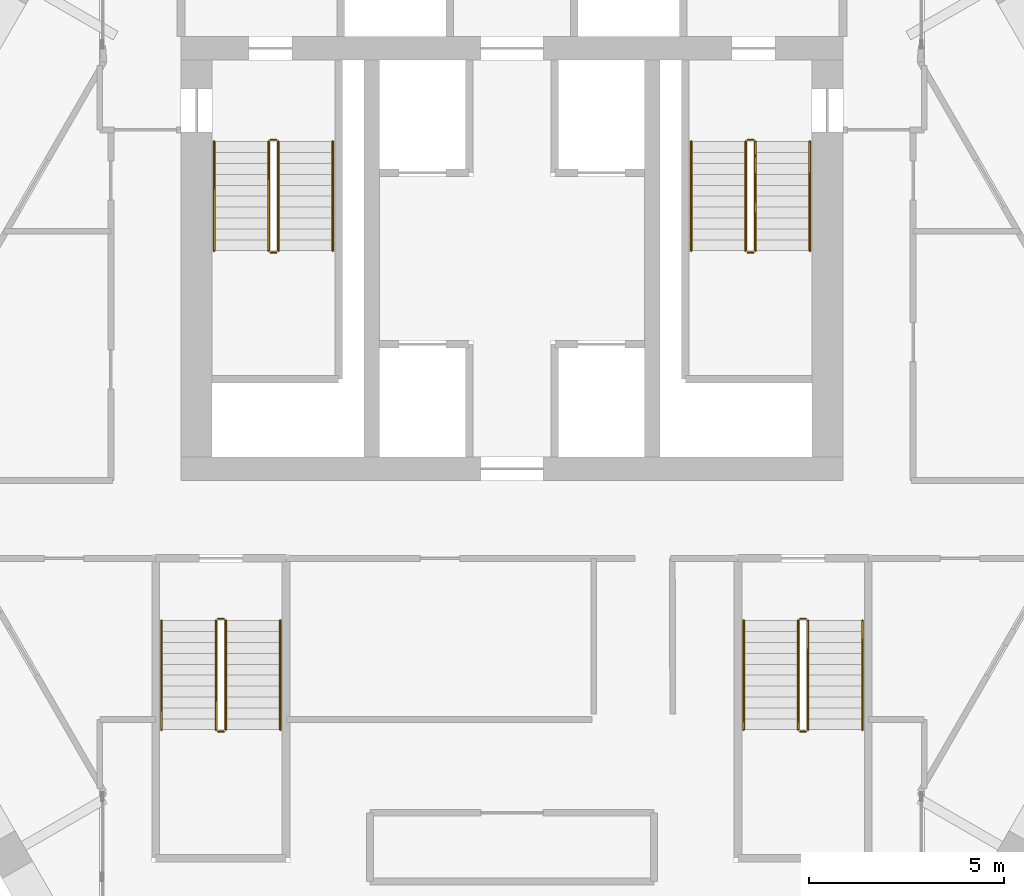
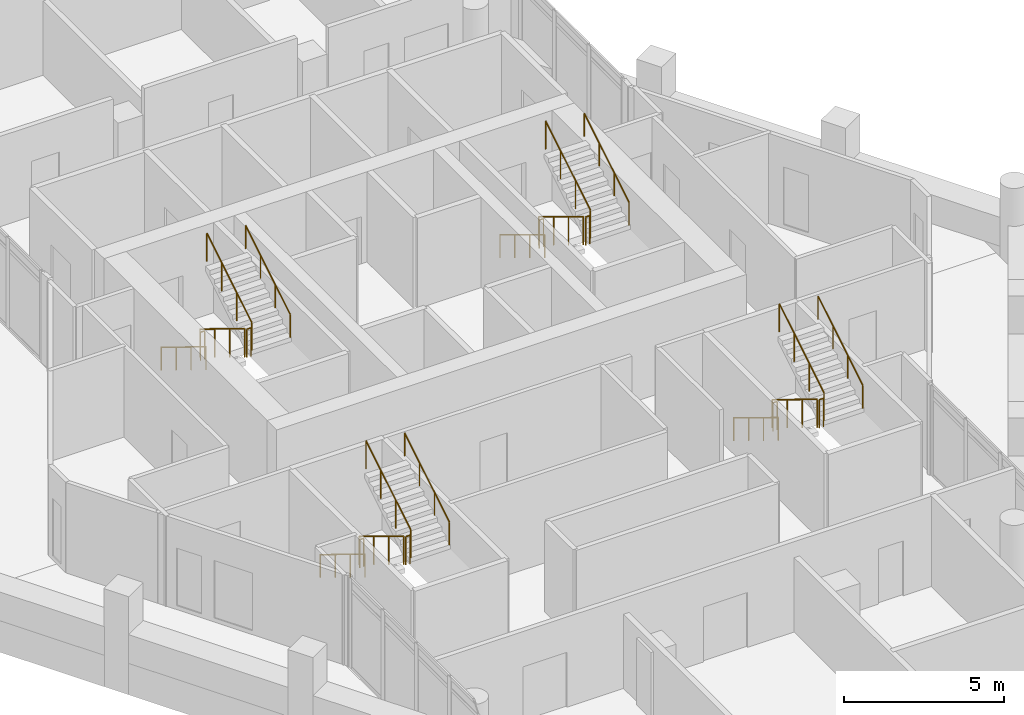
# One storey, part 25 of 25: 24 railings.
"""IFC4 building model written with IfcOpenShell, lengths in metres."""

from ifc_helpers import new_model, si_unit, direction, frame, origin, origin_2d, place, context, subcontext, project, spatial, circle, extrude, material, type_object, element, save


model = new_model("IFC4")

# Units and contexts
model_context = context("Model", 3, precision=1e-05, world=origin(), true_north=direction((0.0, 1.0)))
body_context = subcontext(model_context, "Body", "Model", "MODEL_VIEW")
ifc_project = project(units=[si_unit("LENGTHUNIT", "METRE"), si_unit("AREAUNIT", "SQUARE_METRE"), si_unit("VOLUMEUNIT", "CUBIC_METRE"), si_unit("PLANEANGLEUNIT", "RADIAN"), si_unit("MASSUNIT", "GRAM", prefix="KILO")], contexts=[model_context])

# Site, building, storey
site_placement = place(None, origin())
site = spatial("IfcSite", under=ifc_project, at=site_placement, CompositionType="ELEMENT")
building_placement = place(site_placement, origin())
building = spatial("IfcBuilding", under=site, at=building_placement, Name="Ostrander Bayou Hotel Tower", CompositionType="ELEMENT")
storey_placement = place(building_placement, frame((0.0, 0.0, 233.25)))
storey = spatial("IfcBuildingStorey", under=building, at=storey_placement, Name="L58", CompositionType="ELEMENT", Elevation=233.25)

# Railings
ifc_material_1 = material(Name="Steel ASTM A500 Gr C", Category="steel")
railing_type_1 = type_object("IfcRailingType", Name="GR1 stair guard 1100 mm steel", PredefinedType="GUARDRAIL", material=ifc_material_1)
railing_1_placement = place(storey_placement, frame((-6.25, 7.0, 0.17041015625)))
element("IfcRailing", 1, at=railing_1_placement, inside=storey, type_object=railing_type_1, Name="L58 STA stair guard 1", PredefinedType="GUARDRAIL", context=body_context, shape_type="SweptSolid", body=[
    extrude(circle(Radius=0.02392578125, at=origin_2d()), frame((0.0, 0.0, 1.076171875), z_axis=(0.0, -0.854169791009, 0.51999420009), x_axis=(1.0, 0.0, 0.0)), (0.0, 0.0, 1.0), 3.278076171875),
    extrude(circle(Radius=0.02099609375, at=origin_2d()), origin(), (0.0, 0.0, 1.0), 1.052001953125),
    extrude(circle(Radius=0.02099609375, at=origin_2d()), frame((0.0, -0.933349609375, 0.568115234375)), (0.0, 0.0, 1.0), 1.052001953125),
    extrude(circle(Radius=0.02099609375, at=origin_2d()), frame((0.0, -1.86669921875, 1.136474609375)), (0.0, 0.0, 1.0), 1.052001953125),
    extrude(circle(Radius=0.02099609375, at=origin_2d()), frame((0.0, -2.800048828125, 1.70458984375)), (0.0, 0.0, 1.0), 1.052001953125),
])
railing_2_placement = place(storey_placement, frame((-6.199951171875, 4.14990234375, 1.875)))
element("IfcRailing", 2, at=railing_2_placement, inside=storey, type_object=railing_type_1, Name="L58 STA stair guard 2", PredefinedType="GUARDRAIL", context=body_context, shape_type="SweptSolid", body=[
    extrude(circle(Radius=0.02392578125, at=origin_2d()), frame((0.0, 0.0, 1.076171875), z_axis=(1.0, 0.0, 0.0), x_axis=(0.0, 1.0, 0.0)), (0.0, 0.0, 1.0), 0.14990234375),
    extrude(circle(Radius=0.02099609375, at=origin_2d()), origin(), (0.0, 0.0, 1.0), 1.052001953125),
    extrude(circle(Radius=0.02099609375, at=origin_2d()), frame((0.14990234375, 0.0, 0.0)), (0.0, 0.0, 1.0), 1.052001953125),
])
railing_3_placement = place(storey_placement, frame((-6.0, 4.199951171875, 2.04541015625)))
element("IfcRailing", 3, at=railing_3_placement, inside=storey, type_object=railing_type_1, Name="L58 STA stair guard 3", PredefinedType="GUARDRAIL", context=body_context, shape_type="SweptSolid", body=[
    extrude(circle(Radius=0.02392578125, at=origin_2d()), frame((0.0, 0.0, 1.076171875), z_axis=(0.0, 0.854169791009, 0.51999420009), x_axis=(-1.0, 0.0, 0.0)), (0.0, 0.0, 1.0), 3.278076171875),
    extrude(circle(Radius=0.02099609375, at=origin_2d()), origin(), (0.0, 0.0, 1.0), 1.052001953125),
    extrude(circle(Radius=0.02099609375, at=origin_2d()), frame((0.0, 0.933349609375, 0.568115234375)), (0.0, 0.0, 1.0), 1.052001953125),
    extrude(circle(Radius=0.02099609375, at=origin_2d()), frame((0.0, 1.86669921875, 1.136474609375)), (0.0, 0.0, 1.0), 1.052001953125),
    extrude(circle(Radius=0.02099609375, at=origin_2d()), frame((0.0, 2.800048828125, 1.70458984375)), (0.0, 0.0, 1.0), 1.052001953125),
])
railing_4_placement = place(storey_placement, frame((-6.199951171875, 7.050048828125, 0.0)))
element("IfcRailing", 4, at=railing_4_placement, inside=storey, type_object=railing_type_1, Name="L58 STA stair guard 4", PredefinedType="GUARDRAIL", context=body_context, shape_type="SweptSolid", body=[
    extrude(circle(Radius=0.02392578125, at=origin_2d()), frame((0.0, 0.0, 1.076171875), z_axis=(1.0, 0.0, 0.0), x_axis=(0.0, 1.0, 0.0)), (0.0, 0.0, 1.0), 0.14990234375),
    extrude(circle(Radius=0.02099609375, at=origin_2d()), origin(), (0.0, 0.0, 1.0), 1.052001953125),
    extrude(circle(Radius=0.02099609375, at=origin_2d()), frame((0.14990234375, 0.0, 0.0)), (0.0, 0.0, 1.0), 1.052001953125),
])
railing_5_placement = place(storey_placement, frame((6.0, 7.0, 0.17041015625)))
element("IfcRailing", 5, at=railing_5_placement, inside=storey, type_object=railing_type_1, Name="L58 STB stair guard 1", PredefinedType="GUARDRAIL", context=body_context, shape_type="SweptSolid", body=[
    extrude(circle(Radius=0.02392578125, at=origin_2d()), frame((0.0, 0.0, 1.076171875), z_axis=(0.0, -0.854169791009, 0.51999420009), x_axis=(1.0, 0.0, 0.0)), (0.0, 0.0, 1.0), 3.278076171875),
    extrude(circle(Radius=0.02099609375, at=origin_2d()), origin(), (0.0, 0.0, 1.0), 1.052001953125),
    extrude(circle(Radius=0.02099609375, at=origin_2d()), frame((0.0, -0.933349609375, 0.568115234375)), (0.0, 0.0, 1.0), 1.052001953125),
    extrude(circle(Radius=0.02099609375, at=origin_2d()), frame((0.0, -1.86669921875, 1.136474609375)), (0.0, 0.0, 1.0), 1.052001953125),
    extrude(circle(Radius=0.02099609375, at=origin_2d()), frame((0.0, -2.800048828125, 1.70458984375)), (0.0, 0.0, 1.0), 1.052001953125),
])
railing_6_placement = place(storey_placement, frame((6.050048828125, 4.14990234375, 1.875)))
element("IfcRailing", 6, at=railing_6_placement, inside=storey, type_object=railing_type_1, Name="L58 STB stair guard 2", PredefinedType="GUARDRAIL", context=body_context, shape_type="SweptSolid", body=[
    extrude(circle(Radius=0.02392578125, at=origin_2d()), frame((0.0, 0.0, 1.076171875), z_axis=(1.0, 0.0, 0.0), x_axis=(0.0, 1.0, 0.0)), (0.0, 0.0, 1.0), 0.14990234375),
    extrude(circle(Radius=0.02099609375, at=origin_2d()), origin(), (0.0, 0.0, 1.0), 1.052001953125),
    extrude(circle(Radius=0.02099609375, at=origin_2d()), frame((0.14990234375, 0.0, 0.0)), (0.0, 0.0, 1.0), 1.052001953125),
])
railing_7_placement = place(storey_placement, frame((6.25, 4.199951171875, 2.04541015625)))
element("IfcRailing", 7, at=railing_7_placement, inside=storey, type_object=railing_type_1, Name="L58 STB stair guard 3", PredefinedType="GUARDRAIL", context=body_context, shape_type="SweptSolid", body=[
    extrude(circle(Radius=0.02392578125, at=origin_2d()), frame((0.0, 0.0, 1.076171875), z_axis=(0.0, 0.854169791009, 0.51999420009), x_axis=(-1.0, 0.0, 0.0)), (0.0, 0.0, 1.0), 3.278076171875),
    extrude(circle(Radius=0.02099609375, at=origin_2d()), origin(), (0.0, 0.0, 1.0), 1.052001953125),
    extrude(circle(Radius=0.02099609375, at=origin_2d()), frame((0.0, 0.933349609375, 0.568115234375)), (0.0, 0.0, 1.0), 1.052001953125),
    extrude(circle(Radius=0.02099609375, at=origin_2d()), frame((0.0, 1.86669921875, 1.136474609375)), (0.0, 0.0, 1.0), 1.052001953125),
    extrude(circle(Radius=0.02099609375, at=origin_2d()), frame((0.0, 2.800048828125, 1.70458984375)), (0.0, 0.0, 1.0), 1.052001953125),
])
railing_8_placement = place(storey_placement, frame((6.050048828125, 7.050048828125, 0.0)))
element("IfcRailing", 8, at=railing_8_placement, inside=storey, type_object=railing_type_1, Name="L58 STB stair guard 4", PredefinedType="GUARDRAIL", context=body_context, shape_type="SweptSolid", body=[
    extrude(circle(Radius=0.02392578125, at=origin_2d()), frame((0.0, 0.0, 1.076171875), z_axis=(1.0, 0.0, 0.0), x_axis=(0.0, 1.0, 0.0)), (0.0, 0.0, 1.0), 0.14990234375),
    extrude(circle(Radius=0.02099609375, at=origin_2d()), origin(), (0.0, 0.0, 1.0), 1.052001953125),
    extrude(circle(Radius=0.02099609375, at=origin_2d()), frame((0.14990234375, 0.0, 0.0)), (0.0, 0.0, 1.0), 1.052001953125),
])
railing_9_placement = place(storey_placement, frame((7.35009765625, -5.300048828125, 0.17041015625)))
element("IfcRailing", 9, at=railing_9_placement, inside=storey, type_object=railing_type_1, Name="L58 STC stair guard 1", PredefinedType="GUARDRAIL", context=body_context, shape_type="SweptSolid", body=[
    extrude(circle(Radius=0.02392578125, at=origin_2d()), frame((0.0, 0.0, 1.076171875), z_axis=(0.0, -0.854169791009, 0.51999420009), x_axis=(1.0, 0.0, 0.0)), (0.0, 0.0, 1.0), 3.278076171875),
    extrude(circle(Radius=0.02099609375, at=origin_2d()), origin(), (0.0, 0.0, 1.0), 1.052001953125),
    extrude(circle(Radius=0.02099609375, at=origin_2d()), frame((0.0, -0.933349609375, 0.568115234375)), (0.0, 0.0, 1.0), 1.052001953125),
    extrude(circle(Radius=0.02099609375, at=origin_2d()), frame((0.0, -1.86669921875, 1.136474609375)), (0.0, 0.0, 1.0), 1.052001953125),
    extrude(circle(Radius=0.02099609375, at=origin_2d()), frame((0.0, -2.800048828125, 1.70458984375)), (0.0, 0.0, 1.0), 1.052001953125),
])
railing_10_placement = place(storey_placement, frame((7.39990234375, -8.14990234375, 1.875)))
element("IfcRailing", 10, at=railing_10_placement, inside=storey, type_object=railing_type_1, Name="L58 STC stair guard 2", PredefinedType="GUARDRAIL", context=body_context, shape_type="SweptSolid", body=[
    extrude(circle(Radius=0.02392578125, at=origin_2d()), frame((0.0, 0.0, 1.076171875), z_axis=(1.0, 0.0, 0.0), x_axis=(0.0, 1.0, 0.0)), (0.0, 0.0, 1.0), 0.150146484375),
    extrude(circle(Radius=0.02099609375, at=origin_2d()), origin(), (0.0, 0.0, 1.0), 1.052001953125),
    extrude(circle(Radius=0.02099609375, at=origin_2d()), frame((0.150146484375, 0.0, 0.0)), (0.0, 0.0, 1.0), 1.052001953125),
])
railing_11_placement = place(storey_placement, frame((7.60009765625, -8.10009765625, 2.04541015625)))
element("IfcRailing", 11, at=railing_11_placement, inside=storey, type_object=railing_type_1, Name="L58 STC stair guard 3", PredefinedType="GUARDRAIL", context=body_context, shape_type="SweptSolid", body=[
    extrude(circle(Radius=0.02392578125, at=origin_2d()), frame((0.0, 0.0, 1.076171875), z_axis=(0.0, 0.854169791009, 0.51999420009), x_axis=(-1.0, 0.0, 0.0)), (0.0, 0.0, 1.0), 3.278076171875),
    extrude(circle(Radius=0.02099609375, at=origin_2d()), origin(), (0.0, 0.0, 1.0), 1.052001953125),
    extrude(circle(Radius=0.02099609375, at=origin_2d()), frame((0.0, 0.933349609375, 0.568115234375)), (0.0, 0.0, 1.0), 1.052001953125),
    extrude(circle(Radius=0.02099609375, at=origin_2d()), frame((0.0, 1.86669921875, 1.136474609375)), (0.0, 0.0, 1.0), 1.052001953125),
    extrude(circle(Radius=0.02099609375, at=origin_2d()), frame((0.0, 2.800048828125, 1.70458984375)), (0.0, 0.0, 1.0), 1.052001953125),
])
railing_12_placement = place(storey_placement, frame((7.39990234375, -5.25, 0.0)))
element("IfcRailing", 12, at=railing_12_placement, inside=storey, type_object=railing_type_1, Name="L58 STC stair guard 4", PredefinedType="GUARDRAIL", context=body_context, shape_type="SweptSolid", body=[
    extrude(circle(Radius=0.02392578125, at=origin_2d()), frame((0.0, 0.0, 1.076171875), z_axis=(1.0, 0.0, 0.0), x_axis=(0.0, 1.0, 0.0)), (0.0, 0.0, 1.0), 0.150146484375),
    extrude(circle(Radius=0.02099609375, at=origin_2d()), origin(), (0.0, 0.0, 1.0), 1.052001953125),
    extrude(circle(Radius=0.02099609375, at=origin_2d()), frame((0.150146484375, 0.0, 0.0)), (0.0, 0.0, 1.0), 1.052001953125),
])
railing_13_placement = place(storey_placement, frame((-7.60009765625, -5.300048828125, 0.17041015625)))
element("IfcRailing", 13, at=railing_13_placement, inside=storey, type_object=railing_type_1, Name="L58 STD stair guard 1", PredefinedType="GUARDRAIL", context=body_context, shape_type="SweptSolid", body=[
    extrude(circle(Radius=0.02392578125, at=origin_2d()), frame((0.0, 0.0, 1.076171875), z_axis=(0.0, -0.854169791009, 0.51999420009), x_axis=(1.0, 0.0, 0.0)), (0.0, 0.0, 1.0), 3.278076171875),
    extrude(circle(Radius=0.02099609375, at=origin_2d()), origin(), (0.0, 0.0, 1.0), 1.052001953125),
    extrude(circle(Radius=0.02099609375, at=origin_2d()), frame((0.0, -0.933349609375, 0.568115234375)), (0.0, 0.0, 1.0), 1.052001953125),
    extrude(circle(Radius=0.02099609375, at=origin_2d()), frame((0.0, -1.86669921875, 1.136474609375)), (0.0, 0.0, 1.0), 1.052001953125),
    extrude(circle(Radius=0.02099609375, at=origin_2d()), frame((0.0, -2.800048828125, 1.70458984375)), (0.0, 0.0, 1.0), 1.052001953125),
])
railing_14_placement = place(storey_placement, frame((-7.550048828125, -8.14990234375, 1.875)))
element("IfcRailing", 14, at=railing_14_placement, inside=storey, type_object=railing_type_1, Name="L58 STD stair guard 2", PredefinedType="GUARDRAIL", context=body_context, shape_type="SweptSolid", body=[
    extrude(circle(Radius=0.02392578125, at=origin_2d()), frame((0.0, 0.0, 1.076171875), z_axis=(1.0, 0.0, 0.0), x_axis=(0.0, 1.0, 0.0)), (0.0, 0.0, 1.0), 0.150146484375),
    extrude(circle(Radius=0.02099609375, at=origin_2d()), origin(), (0.0, 0.0, 1.0), 1.052001953125),
    extrude(circle(Radius=0.02099609375, at=origin_2d()), frame((0.150146484375, 0.0, 0.0)), (0.0, 0.0, 1.0), 1.052001953125),
])
railing_15_placement = place(storey_placement, frame((-7.35009765625, -8.10009765625, 2.04541015625)))
element("IfcRailing", 15, at=railing_15_placement, inside=storey, type_object=railing_type_1, Name="L58 STD stair guard 3", PredefinedType="GUARDRAIL", context=body_context, shape_type="SweptSolid", body=[
    extrude(circle(Radius=0.02392578125, at=origin_2d()), frame((0.0, 0.0, 1.076171875), z_axis=(0.0, 0.854169791009, 0.51999420009), x_axis=(-1.0, 0.0, 0.0)), (0.0, 0.0, 1.0), 3.278076171875),
    extrude(circle(Radius=0.02099609375, at=origin_2d()), origin(), (0.0, 0.0, 1.0), 1.052001953125),
    extrude(circle(Radius=0.02099609375, at=origin_2d()), frame((0.0, 0.933349609375, 0.568115234375)), (0.0, 0.0, 1.0), 1.052001953125),
    extrude(circle(Radius=0.02099609375, at=origin_2d()), frame((0.0, 1.86669921875, 1.136474609375)), (0.0, 0.0, 1.0), 1.052001953125),
    extrude(circle(Radius=0.02099609375, at=origin_2d()), frame((0.0, 2.800048828125, 1.70458984375)), (0.0, 0.0, 1.0), 1.052001953125),
])
railing_16_placement = place(storey_placement, frame((-7.550048828125, -5.25, 0.0)))
element("IfcRailing", 16, at=railing_16_placement, inside=storey, type_object=railing_type_1, Name="L58 STD stair guard 4", PredefinedType="GUARDRAIL", context=body_context, shape_type="SweptSolid", body=[
    extrude(circle(Radius=0.02392578125, at=origin_2d()), frame((0.0, 0.0, 1.076171875), z_axis=(1.0, 0.0, 0.0), x_axis=(0.0, 1.0, 0.0)), (0.0, 0.0, 1.0), 0.150146484375),
    extrude(circle(Radius=0.02099609375, at=origin_2d()), origin(), (0.0, 0.0, 1.0), 1.052001953125),
    extrude(circle(Radius=0.02099609375, at=origin_2d()), frame((0.150146484375, 0.0, 0.0)), (0.0, 0.0, 1.0), 1.052001953125),
])
ifc_material_2 = material(Name="Steel ASTM A500 Gr C", Category="steel")
railing_type_2 = type_object("IfcRailingType", Name="HR1 stair handrail 900 mm steel", PredefinedType="HANDRAIL", material=ifc_material_2)
railing_17_placement = place(storey_placement, frame((-7.64990234375, 7.0, 0.17041015625)))
element("IfcRailing", 17, at=railing_17_placement, inside=storey, type_object=railing_type_2, Name="L58 STA stair handrail 1", PredefinedType="HANDRAIL", context=body_context, shape_type="SweptSolid", body=[
    extrude(circle(Radius=0.02392578125, at=origin_2d()), frame((0.0, 0.0, 0.8759765625), z_axis=(0.0, -0.854169791009, 0.51999420009), x_axis=(1.0, 0.0, 0.0)), (0.0, 0.0, 1.0), 3.278076171875),
    extrude(circle(Radius=0.02099609375, at=origin_2d()), origin(), (0.0, 0.0, 1.0), 0.851806640625),
    extrude(circle(Radius=0.02099609375, at=origin_2d()), frame((0.0, -0.933349609375, 0.568115234375)), (0.0, 0.0, 1.0), 0.851806640625),
    extrude(circle(Radius=0.02099609375, at=origin_2d()), frame((0.0, -1.86669921875, 1.136474609375)), (0.0, 0.0, 1.0), 0.851806640625),
    extrude(circle(Radius=0.02099609375, at=origin_2d()), frame((0.0, -2.800048828125, 1.70458984375)), (0.0, 0.0, 1.0), 0.851806640625),
])
railing_18_placement = place(storey_placement, frame((-4.60009765625, 4.199951171875, 2.04541015625)))
element("IfcRailing", 18, at=railing_18_placement, inside=storey, type_object=railing_type_2, Name="L58 STA stair handrail 2", PredefinedType="HANDRAIL", context=body_context, shape_type="SweptSolid", body=[
    extrude(circle(Radius=0.02392578125, at=origin_2d()), frame((0.0, 0.0, 0.8759765625), z_axis=(0.0, 0.854169791009, 0.51999420009), x_axis=(-1.0, 0.0, 0.0)), (0.0, 0.0, 1.0), 3.278076171875),
    extrude(circle(Radius=0.02099609375, at=origin_2d()), origin(), (0.0, 0.0, 1.0), 0.851806640625),
    extrude(circle(Radius=0.02099609375, at=origin_2d()), frame((0.0, 0.933349609375, 0.568115234375)), (0.0, 0.0, 1.0), 0.851806640625),
    extrude(circle(Radius=0.02099609375, at=origin_2d()), frame((0.0, 1.86669921875, 1.136474609375)), (0.0, 0.0, 1.0), 0.851806640625),
    extrude(circle(Radius=0.02099609375, at=origin_2d()), frame((0.0, 2.800048828125, 1.70458984375)), (0.0, 0.0, 1.0), 0.851806640625),
])
railing_19_placement = place(storey_placement, frame((4.60009765625, 7.0, 0.17041015625)))
element("IfcRailing", 19, at=railing_19_placement, inside=storey, type_object=railing_type_2, Name="L58 STB stair handrail 1", PredefinedType="HANDRAIL", context=body_context, shape_type="SweptSolid", body=[
    extrude(circle(Radius=0.02392578125, at=origin_2d()), frame((0.0, 0.0, 0.8759765625), z_axis=(0.0, -0.854169791009, 0.51999420009), x_axis=(1.0, 0.0, 0.0)), (0.0, 0.0, 1.0), 3.278076171875),
    extrude(circle(Radius=0.02099609375, at=origin_2d()), origin(), (0.0, 0.0, 1.0), 0.851806640625),
    extrude(circle(Radius=0.02099609375, at=origin_2d()), frame((0.0, -0.933349609375, 0.568115234375)), (0.0, 0.0, 1.0), 0.851806640625),
    extrude(circle(Radius=0.02099609375, at=origin_2d()), frame((0.0, -1.86669921875, 1.136474609375)), (0.0, 0.0, 1.0), 0.851806640625),
    extrude(circle(Radius=0.02099609375, at=origin_2d()), frame((0.0, -2.800048828125, 1.70458984375)), (0.0, 0.0, 1.0), 0.851806640625),
])
railing_20_placement = place(storey_placement, frame((7.64990234375, 4.199951171875, 2.04541015625)))
element("IfcRailing", 20, at=railing_20_placement, inside=storey, type_object=railing_type_2, Name="L58 STB stair handrail 2", PredefinedType="HANDRAIL", context=body_context, shape_type="SweptSolid", body=[
    extrude(circle(Radius=0.02392578125, at=origin_2d()), frame((0.0, 0.0, 0.8759765625), z_axis=(0.0, 0.854169791009, 0.51999420009), x_axis=(-1.0, 0.0, 0.0)), (0.0, 0.0, 1.0), 3.278076171875),
    extrude(circle(Radius=0.02099609375, at=origin_2d()), origin(), (0.0, 0.0, 1.0), 0.851806640625),
    extrude(circle(Radius=0.02099609375, at=origin_2d()), frame((0.0, 0.933349609375, 0.568115234375)), (0.0, 0.0, 1.0), 0.851806640625),
    extrude(circle(Radius=0.02099609375, at=origin_2d()), frame((0.0, 1.86669921875, 1.136474609375)), (0.0, 0.0, 1.0), 0.851806640625),
    extrude(circle(Radius=0.02099609375, at=origin_2d()), frame((0.0, 2.800048828125, 1.70458984375)), (0.0, 0.0, 1.0), 0.851806640625),
])
railing_21_placement = place(storey_placement, frame((5.949951171875, -5.300048828125, 0.17041015625)))
element("IfcRailing", 21, at=railing_21_placement, inside=storey, type_object=railing_type_2, Name="L58 STC stair handrail 1", PredefinedType="HANDRAIL", context=body_context, shape_type="SweptSolid", body=[
    extrude(circle(Radius=0.02392578125, at=origin_2d()), frame((0.0, 0.0, 0.8759765625), z_axis=(0.0, -0.854169791009, 0.51999420009), x_axis=(1.0, 0.0, 0.0)), (0.0, 0.0, 1.0), 3.278076171875),
    extrude(circle(Radius=0.02099609375, at=origin_2d()), origin(), (0.0, 0.0, 1.0), 0.851806640625),
    extrude(circle(Radius=0.02099609375, at=origin_2d()), frame((0.0, -0.933349609375, 0.568115234375)), (0.0, 0.0, 1.0), 0.851806640625),
    extrude(circle(Radius=0.02099609375, at=origin_2d()), frame((0.0, -1.86669921875, 1.136474609375)), (0.0, 0.0, 1.0), 0.851806640625),
    extrude(circle(Radius=0.02099609375, at=origin_2d()), frame((0.0, -2.800048828125, 1.70458984375)), (0.0, 0.0, 1.0), 0.851806640625),
])
railing_22_placement = place(storey_placement, frame((9.0, -8.10009765625, 2.04541015625)))
element("IfcRailing", 22, at=railing_22_placement, inside=storey, type_object=railing_type_2, Name="L58 STC stair handrail 2", PredefinedType="HANDRAIL", context=body_context, shape_type="SweptSolid", body=[
    extrude(circle(Radius=0.02392578125, at=origin_2d()), frame((0.0, 0.0, 0.8759765625), z_axis=(0.0, 0.854169791009, 0.51999420009), x_axis=(-1.0, 0.0, 0.0)), (0.0, 0.0, 1.0), 3.278076171875),
    extrude(circle(Radius=0.02099609375, at=origin_2d()), origin(), (0.0, 0.0, 1.0), 0.851806640625),
    extrude(circle(Radius=0.02099609375, at=origin_2d()), frame((0.0, 0.933349609375, 0.568115234375)), (0.0, 0.0, 1.0), 0.851806640625),
    extrude(circle(Radius=0.02099609375, at=origin_2d()), frame((0.0, 1.86669921875, 1.136474609375)), (0.0, 0.0, 1.0), 0.851806640625),
    extrude(circle(Radius=0.02099609375, at=origin_2d()), frame((0.0, 2.800048828125, 1.70458984375)), (0.0, 0.0, 1.0), 0.851806640625),
])
railing_23_placement = place(storey_placement, frame((-9.0, -5.300048828125, 0.17041015625)))
element("IfcRailing", 23, at=railing_23_placement, inside=storey, type_object=railing_type_2, Name="L58 STD stair handrail 1", PredefinedType="HANDRAIL", context=body_context, shape_type="SweptSolid", body=[
    extrude(circle(Radius=0.02392578125, at=origin_2d()), frame((0.0, 0.0, 0.8759765625), z_axis=(0.0, -0.854169791009, 0.51999420009), x_axis=(1.0, 0.0, 0.0)), (0.0, 0.0, 1.0), 3.278076171875),
    extrude(circle(Radius=0.02099609375, at=origin_2d()), origin(), (0.0, 0.0, 1.0), 0.851806640625),
    extrude(circle(Radius=0.02099609375, at=origin_2d()), frame((0.0, -0.933349609375, 0.568115234375)), (0.0, 0.0, 1.0), 0.851806640625),
    extrude(circle(Radius=0.02099609375, at=origin_2d()), frame((0.0, -1.86669921875, 1.136474609375)), (0.0, 0.0, 1.0), 0.851806640625),
    extrude(circle(Radius=0.02099609375, at=origin_2d()), frame((0.0, -2.800048828125, 1.70458984375)), (0.0, 0.0, 1.0), 0.851806640625),
])
railing_24_placement = place(storey_placement, frame((-5.949951171875, -8.10009765625, 2.04541015625)))
element("IfcRailing", 24, at=railing_24_placement, inside=storey, type_object=railing_type_2, Name="L58 STD stair handrail 2", PredefinedType="HANDRAIL", context=body_context, shape_type="SweptSolid", body=[
    extrude(circle(Radius=0.02392578125, at=origin_2d()), frame((0.0, 0.0, 0.8759765625), z_axis=(0.0, 0.854169791009, 0.51999420009), x_axis=(-1.0, 0.0, 0.0)), (0.0, 0.0, 1.0), 3.278076171875),
    extrude(circle(Radius=0.02099609375, at=origin_2d()), origin(), (0.0, 0.0, 1.0), 0.851806640625),
    extrude(circle(Radius=0.02099609375, at=origin_2d()), frame((0.0, 0.933349609375, 0.568115234375)), (0.0, 0.0, 1.0), 0.851806640625),
    extrude(circle(Radius=0.02099609375, at=origin_2d()), frame((0.0, 1.86669921875, 1.136474609375)), (0.0, 0.0, 1.0), 0.851806640625),
    extrude(circle(Radius=0.02099609375, at=origin_2d()), frame((0.0, 2.800048828125, 1.70458984375)), (0.0, 0.0, 1.0), 0.851806640625),
])

save(model, "model.ifc")
